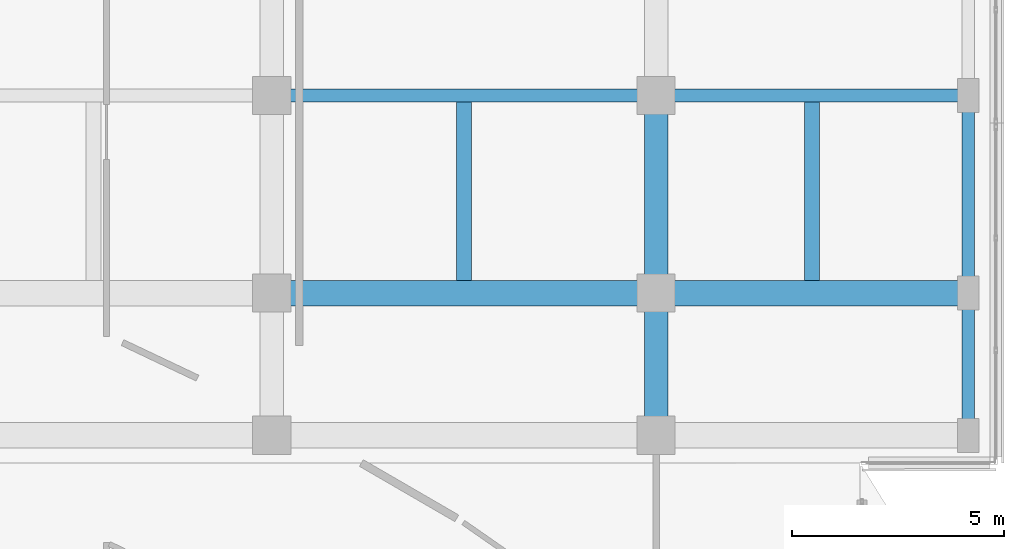
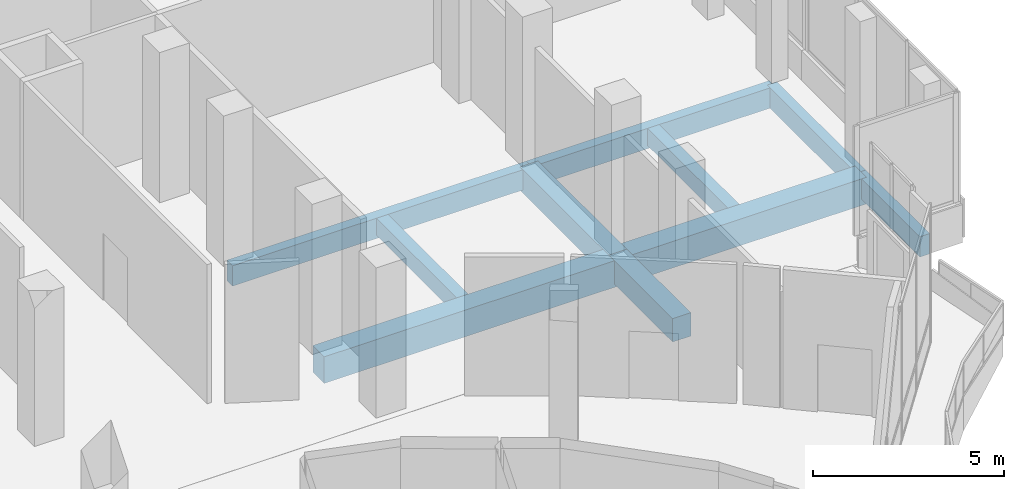
# One storey, part 108 of 168: 10 beams.
"""IFC4 building model written with IfcOpenShell, lengths in metres."""

from ifc_helpers import new_model, si_unit, direction, frame, origin, origin_2d, place, context, subcontext, project, spatial, rectangle, extrude, material, material_profile, profile_set, type_object, element, save


model = new_model("IFC4")

# Units and contexts
model_context = context("Model", 3, precision=1e-05, world=origin(), true_north=direction((0.0, 1.0)))
body_context = subcontext(model_context, "Body", "Model", "MODEL_VIEW")
ifc_project = project(units=[si_unit("LENGTHUNIT", "METRE"), si_unit("AREAUNIT", "SQUARE_METRE"), si_unit("VOLUMEUNIT", "CUBIC_METRE"), si_unit("PLANEANGLEUNIT", "RADIAN"), si_unit("MASSUNIT", "GRAM", prefix="KILO")], contexts=[model_context])

# Site, building, storey
site_placement = place(None, origin())
site = spatial("IfcSite", under=ifc_project, at=site_placement, CompositionType="ELEMENT")
building_placement = place(site_placement, origin())
building = spatial("IfcBuilding", under=site, at=building_placement, Name="Selatvlak General Hospital", CompositionType="ELEMENT")
storey_placement = place(building_placement, frame((0.0, 0.0, 5.39990234375)))
storey = spatial("IfcBuildingStorey", under=building, at=storey_placement, Name="L01", CompositionType="ELEMENT", Elevation=5.39990234375)

# Beams
ifc_material = material(Name="Concrete C40/50", Category="concrete")
ifc_material_profile_1 = material_profile(ifc_material, rectangle(XDim=0.60009765625, YDim=0.85009765625, at=origin_2d()), Name="RC-BM 600x850")
ifc_profile_set_1 = profile_set([ifc_material_profile_1], Name="Concrete C40/50")
beam_type_1 = type_object("IfcBeamType", Name="BM-G01", PredefinedType="BEAM", material=ifc_profile_set_1)
beam_1_placement = place(storey_placement, frame((164.949951171875, 68.0, -0.744873046875), z_axis=(1.0, 0.0, 0.0), x_axis=(0.0, 1.0, 0.0)))
element("IfcBeam", 1, at=beam_1_placement, inside=storey, type_object=beam_type_1, Name="Beam BMR-L01-0404", PredefinedType="BEAM", context=body_context, shape_type="SweptSolid", body=[
    extrude(rectangle(XDim=0.60009765625, YDim=0.85009765625, at=origin_2d()), origin(), (0.0, 0.0, 1.0), 9.050048828125),
])
beam_2_placement = place(storey_placement, frame((174.0, 68.0, -0.744873046875), z_axis=(1.0, 0.0, 0.0), x_axis=(0.0, 1.0, 0.0)))
element("IfcBeam", 2, at=beam_2_placement, inside=storey, type_object=beam_type_1, Name="Beam BMR-L01-0405", PredefinedType="BEAM", context=body_context, shape_type="SweptSolid", body=[
    extrude(rectangle(XDim=0.60009765625, YDim=0.85009765625, at=origin_2d()), origin(), (0.0, 0.0, 1.0), 7.35009765625),
])
ifc_material_profile_2 = material_profile(ifc_material, rectangle(XDim=0.550048828125, YDim=0.75, at=origin_2d()), Name="RC-BM 550x750")
ifc_profile_set_2 = profile_set([ifc_material_profile_2], Name="Concrete C40/50")
beam_type_2 = type_object("IfcBeamType", Name="BM-G02", PredefinedType="BEAM", material=ifc_profile_set_2)
beam_3_placement = place(storey_placement, frame((174.0, 64.64990234375, -0.69482421875), z_axis=(0.0, 1.0, 0.0), x_axis=(-1.0, 0.0, 0.0)))
element("IfcBeam", 3, at=beam_3_placement, inside=storey, type_object=beam_type_2, Name="Beam BMR-L01-0673", PredefinedType="BEAM", context=body_context, shape_type="SweptSolid", body=[
    extrude(rectangle(XDim=0.550048828125, YDim=0.75, at=origin_2d()), origin(), (0.0, 0.0, 1.0), 3.35009765625),
])
beam_4_placement = place(storey_placement, frame((174.0, 68.0, -0.69482421875), z_axis=(0.0, 1.0, 0.0), x_axis=(-1.0, 0.0, 0.0)))
element("IfcBeam", 4, at=beam_4_placement, inside=storey, type_object=beam_type_2, Name="Beam BMR-L01-0674", PredefinedType="BEAM", context=body_context, shape_type="SweptSolid", body=[
    extrude(rectangle(XDim=0.550048828125, YDim=0.75, at=origin_2d()), origin(), (0.0, 0.0, 1.0), 4.64990234375),
])
ifc_material_profile_3 = material_profile(ifc_material, rectangle(XDim=0.35009765625, YDim=0.550048828125, at=origin_2d()), Name="RC-BM 350x550")
ifc_profile_set_3 = profile_set([ifc_material_profile_3], Name="Concrete C40/50")
beam_type_3 = type_object("IfcBeamType", Name="BM-J01", PredefinedType="JOIST", material=ifc_profile_set_3)
for number, where, z_axis, x_axis, name in (
    (5, (169.47509765625, 68.300048828125, -0.594970703125), (0.0, 1.0, 0.0), (-1.0, 0.0, 0.0), "Beam BMR-L01-0694"),
    (6, (177.675048828125, 68.300048828125, -0.594970703125), (0.0, 1.0, 0.0), (-1.0, 0.0, 0.0), "Beam BMR-L01-0695"),
):
    element("IfcBeam", number, at=place(storey_placement, frame(where, z_axis=z_axis, x_axis=x_axis)), inside=storey, type_object=beam_type_3, Name=name, PredefinedType="JOIST", context=body_context, shape_type="SweptSolid", body=[
        extrude(rectangle(XDim=0.35009765625, YDim=0.550048828125, at=origin_2d()), origin(), (0.0, 0.0, 1.0), 4.199951171875),
    ])
ifc_material_profile_4 = material_profile(ifc_material, rectangle(XDim=0.300048828125, YDim=0.64990234375, at=origin_2d()), Name="RC-SP 300x650")
ifc_profile_set_4 = profile_set([ifc_material_profile_4], Name="Concrete C40/50")
beam_type_4 = type_object("IfcBeamType", Name="BM-SP1", PredefinedType="SPANDREL", material=ifc_profile_set_4)
beam_5_placement = place(storey_placement, frame((164.949951171875, 72.64990234375, -0.64501953125), z_axis=(1.0, 0.0, 0.0), x_axis=(0.0, 1.0, 0.0)))
element("IfcBeam", 7, at=beam_5_placement, inside=storey, type_object=beam_type_4, Name="Beam BMR-L01-0412", PredefinedType="SPANDREL", context=body_context, shape_type="SweptSolid", body=[
    extrude(rectangle(XDim=0.300048828125, YDim=0.64990234375, at=origin_2d()), origin(), (0.0, 0.0, 1.0), 9.050048828125),
])
beam_6_placement = place(storey_placement, frame((174.0, 72.64990234375, -0.64501953125), z_axis=(1.0, 0.0, 0.0), x_axis=(0.0, 1.0, 0.0)))
element("IfcBeam", 8, at=beam_6_placement, inside=storey, type_object=beam_type_4, Name="Beam BMR-L01-0413", PredefinedType="SPANDREL", context=body_context, shape_type="SweptSolid", body=[
    extrude(rectangle(XDim=0.300048828125, YDim=0.64990234375, at=origin_2d()), origin(), (0.0, 0.0, 1.0), 7.35009765625),
])
beam_7_placement = place(storey_placement, frame((181.35009765625, 64.64990234375, -0.64501953125), z_axis=(0.0, 1.0, 0.0), x_axis=(-1.0, 0.0, 0.0)))
element("IfcBeam", 9, at=beam_7_placement, inside=storey, type_object=beam_type_4, Name="Beam BMR-L01-0683", PredefinedType="SPANDREL", context=body_context, shape_type="SweptSolid", body=[
    extrude(rectangle(XDim=0.300048828125, YDim=0.64990234375, at=origin_2d()), origin(), (0.0, 0.0, 1.0), 3.35009765625),
])
beam_8_placement = place(storey_placement, frame((181.35009765625, 68.0, -0.64501953125), z_axis=(0.0, 1.0, 0.0), x_axis=(-1.0, 0.0, 0.0)))
element("IfcBeam", 10, at=beam_8_placement, inside=storey, type_object=beam_type_4, Name="Beam BMR-L01-0684", PredefinedType="SPANDREL", context=body_context, shape_type="SweptSolid", body=[
    extrude(rectangle(XDim=0.300048828125, YDim=0.64990234375, at=origin_2d()), origin(), (0.0, 0.0, 1.0), 4.64990234375),
])

save(model, "model.ifc")
